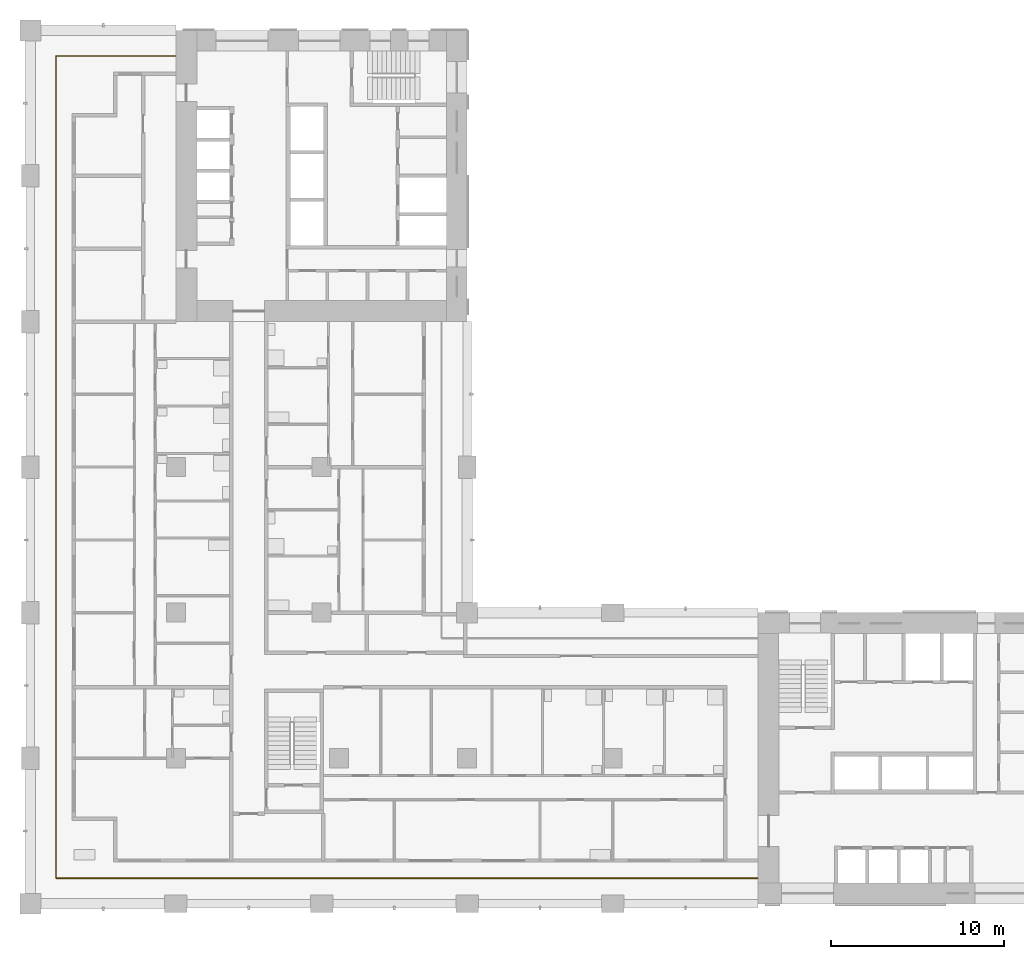
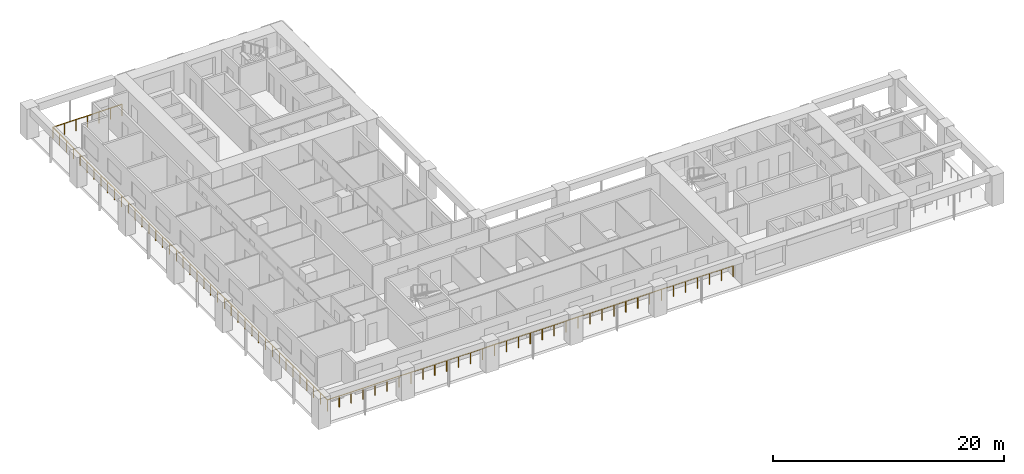
# One storey, part 11 of 17: 1 railing.
"""IFC4 building model written with IfcOpenShell, lengths in metres."""

from ifc_helpers import new_model, si_unit, direction, frame, origin, origin_2d, place, context, subcontext, project, spatial, circle, extrude, material, type_object, element, save


model = new_model("IFC4")

# Units and contexts
model_context = context("Model", 3, precision=1e-05, world=origin(), true_north=direction((0.0, 1.0)))
body_context = subcontext(model_context, "Body", "Model", "MODEL_VIEW")
ifc_project = project(units=[si_unit("LENGTHUNIT", "METRE"), si_unit("AREAUNIT", "SQUARE_METRE"), si_unit("VOLUMEUNIT", "CUBIC_METRE"), si_unit("PLANEANGLEUNIT", "RADIAN"), si_unit("MASSUNIT", "GRAM", prefix="KILO")], contexts=[model_context])

# Site, building, storey
site_placement = place(None, origin())
site = spatial("IfcSite", under=ifc_project, at=site_placement, CompositionType="ELEMENT")
building_placement = place(site_placement, origin())
building = spatial("IfcBuilding", under=site, at=building_placement, Name="Vermilion Gate Residences", CompositionType="ELEMENT")
storey_placement = place(building_placement, frame((0.0, 0.0, 98.699951171875)))
storey = spatial("IfcBuildingStorey", under=building, at=storey_placement, Name="L24", CompositionType="ELEMENT", Elevation=98.699951171875)

# Railing
ifc_material = material(Name="Stainless steel and toughened glass", Category="steel")
railing_type = type_object("IfcRailingType", Name="LOGGIA GUARD STEEL AND GLASS 1200", PredefinedType="GUARDRAIL", material=ifc_material)
railing_placement = place(storey_placement, frame((8.3779296875, 57.324951171875, 0.0)))
element("IfcRailing", 1, at=railing_placement, inside=storey, type_object=railing_type, Name="Loggia guard", PredefinedType="GUARDRAIL", context=body_context, shape_type="SweptSolid", body=[
    extrude(circle(Radius=0.030029296875, at=origin_2d()), frame((0.0, 0.0, 1.169921875), z_axis=(-1.0, 0.0, 0.0), x_axis=(0.0, -1.0, 0.0)), (0.0, 0.0, 1.0), 6.90283203125),
    extrude(circle(Radius=0.030029296875, at=origin_2d()), frame((-6.90283203125, 0.0, 1.169921875), z_axis=(0.0, -1.0, 0.0), x_axis=(1.0, 0.0, 0.0)), (0.0, 0.0, 1.0), 47.449951171875),
    extrude(circle(Radius=0.030029296875, at=origin_2d()), frame((-6.90283203125, -47.449951171875, 1.169921875), z_axis=(1.0, 0.0, 0.0), x_axis=(0.0, 1.0, 0.0)), (0.0, 0.0, 1.0), 40.5029296875),
    extrude(circle(Radius=0.02490234375, at=origin_2d()), origin(), (0.0, 0.0, 1.0), 1.139892578125),
    extrude(circle(Radius=0.02490234375, at=origin_2d()), frame((-1.150390625, 0.0, 0.0)), (0.0, 0.0, 1.0), 1.139892578125),
    extrude(circle(Radius=0.02490234375, at=origin_2d()), frame((-2.301025390625, 0.0, 0.0)), (0.0, 0.0, 1.0), 1.139892578125),
    extrude(circle(Radius=0.02490234375, at=origin_2d()), frame((-3.451416015625, 0.0, 0.0)), (0.0, 0.0, 1.0), 1.139892578125),
    extrude(circle(Radius=0.02490234375, at=origin_2d()), frame((-4.601806640625, 0.0, 0.0)), (0.0, 0.0, 1.0), 1.139892578125),
    extrude(circle(Radius=0.02490234375, at=origin_2d()), frame((-5.75244140625, 0.0, 0.0)), (0.0, 0.0, 1.0), 1.139892578125),
    extrude(circle(Radius=0.02490234375, at=origin_2d()), frame((-6.90283203125, 0.0, 0.0)), (0.0, 0.0, 1.0), 1.139892578125),
    extrude(circle(Radius=0.02490234375, at=origin_2d()), frame((-6.90283203125, -1.186279296875, 0.0)), (0.0, 0.0, 1.0), 1.139892578125),
    extrude(circle(Radius=0.02490234375, at=origin_2d()), frame((-6.90283203125, -2.37255859375, 0.0)), (0.0, 0.0, 1.0), 1.139892578125),
    extrude(circle(Radius=0.02490234375, at=origin_2d()), frame((-6.90283203125, -3.558837890625, 0.0)), (0.0, 0.0, 1.0), 1.139892578125),
    extrude(circle(Radius=0.02490234375, at=origin_2d()), frame((-6.90283203125, -4.7451171875, 0.0)), (0.0, 0.0, 1.0), 1.139892578125),
    extrude(circle(Radius=0.02490234375, at=origin_2d()), frame((-6.90283203125, -5.93115234375, 0.0)), (0.0, 0.0, 1.0), 1.139892578125),
    extrude(circle(Radius=0.02490234375, at=origin_2d()), frame((-6.90283203125, -7.117431640625, 0.0)), (0.0, 0.0, 1.0), 1.139892578125),
    extrude(circle(Radius=0.02490234375, at=origin_2d()), frame((-6.90283203125, -8.3037109375, 0.0)), (0.0, 0.0, 1.0), 1.139892578125),
    extrude(circle(Radius=0.02490234375, at=origin_2d()), frame((-6.90283203125, -9.489990234375, 0.0)), (0.0, 0.0, 1.0), 1.139892578125),
    extrude(circle(Radius=0.02490234375, at=origin_2d()), frame((-6.90283203125, -10.67626953125, 0.0)), (0.0, 0.0, 1.0), 1.139892578125),
    extrude(circle(Radius=0.02490234375, at=origin_2d()), frame((-6.90283203125, -11.862548828125, 0.0)), (0.0, 0.0, 1.0), 1.139892578125),
    extrude(circle(Radius=0.02490234375, at=origin_2d()), frame((-6.90283203125, -13.048828125, 0.0)), (0.0, 0.0, 1.0), 1.139892578125),
    extrude(circle(Radius=0.02490234375, at=origin_2d()), frame((-6.90283203125, -14.23486328125, 0.0)), (0.0, 0.0, 1.0), 1.139892578125),
    extrude(circle(Radius=0.02490234375, at=origin_2d()), frame((-6.90283203125, -15.421142578125, 0.0)), (0.0, 0.0, 1.0), 1.139892578125),
    extrude(circle(Radius=0.02490234375, at=origin_2d()), frame((-6.90283203125, -16.607421875, 0.0)), (0.0, 0.0, 1.0), 1.139892578125),
    extrude(circle(Radius=0.02490234375, at=origin_2d()), frame((-6.90283203125, -17.793701171875, 0.0)), (0.0, 0.0, 1.0), 1.139892578125),
    extrude(circle(Radius=0.02490234375, at=origin_2d()), frame((-6.90283203125, -18.97998046875, 0.0)), (0.0, 0.0, 1.0), 1.139892578125),
    extrude(circle(Radius=0.02490234375, at=origin_2d()), frame((-6.90283203125, -20.166259765625, 0.0)), (0.0, 0.0, 1.0), 1.139892578125),
    extrude(circle(Radius=0.02490234375, at=origin_2d()), frame((-6.90283203125, -21.3525390625, 0.0)), (0.0, 0.0, 1.0), 1.139892578125),
    extrude(circle(Radius=0.02490234375, at=origin_2d()), frame((-6.90283203125, -22.538818359375, 0.0)), (0.0, 0.0, 1.0), 1.139892578125),
    extrude(circle(Radius=0.02490234375, at=origin_2d()), frame((-6.90283203125, -23.72509765625, 0.0)), (0.0, 0.0, 1.0), 1.139892578125),
    extrude(circle(Radius=0.02490234375, at=origin_2d()), frame((-6.90283203125, -24.9111328125, 0.0)), (0.0, 0.0, 1.0), 1.139892578125),
    extrude(circle(Radius=0.02490234375, at=origin_2d()), frame((-6.90283203125, -26.097412109375, 0.0)), (0.0, 0.0, 1.0), 1.139892578125),
    extrude(circle(Radius=0.02490234375, at=origin_2d()), frame((-6.90283203125, -27.28369140625, 0.0)), (0.0, 0.0, 1.0), 1.139892578125),
    extrude(circle(Radius=0.02490234375, at=origin_2d()), frame((-6.90283203125, -28.469970703125, 0.0)), (0.0, 0.0, 1.0), 1.139892578125),
    extrude(circle(Radius=0.02490234375, at=origin_2d()), frame((-6.90283203125, -29.65625, 0.0)), (0.0, 0.0, 1.0), 1.139892578125),
    extrude(circle(Radius=0.02490234375, at=origin_2d()), frame((-6.90283203125, -30.842529296875, 0.0)), (0.0, 0.0, 1.0), 1.139892578125),
    extrude(circle(Radius=0.02490234375, at=origin_2d()), frame((-6.90283203125, -32.02880859375, 0.0)), (0.0, 0.0, 1.0), 1.139892578125),
    extrude(circle(Radius=0.02490234375, at=origin_2d()), frame((-6.90283203125, -33.21484375, 0.0)), (0.0, 0.0, 1.0), 1.139892578125),
    extrude(circle(Radius=0.02490234375, at=origin_2d()), frame((-6.90283203125, -34.401123046875, 0.0)), (0.0, 0.0, 1.0), 1.139892578125),
    extrude(circle(Radius=0.02490234375, at=origin_2d()), frame((-6.90283203125, -35.58740234375, 0.0)), (0.0, 0.0, 1.0), 1.139892578125),
    extrude(circle(Radius=0.02490234375, at=origin_2d()), frame((-6.90283203125, -36.773681640625, 0.0)), (0.0, 0.0, 1.0), 1.139892578125),
    extrude(circle(Radius=0.02490234375, at=origin_2d()), frame((-6.90283203125, -37.9599609375, 0.0)), (0.0, 0.0, 1.0), 1.139892578125),
    extrude(circle(Radius=0.02490234375, at=origin_2d()), frame((-6.90283203125, -39.146240234375, 0.0)), (0.0, 0.0, 1.0), 1.139892578125),
    extrude(circle(Radius=0.02490234375, at=origin_2d()), frame((-6.90283203125, -40.33251953125, 0.0)), (0.0, 0.0, 1.0), 1.139892578125),
    extrude(circle(Radius=0.02490234375, at=origin_2d()), frame((-6.90283203125, -41.518798828125, 0.0)), (0.0, 0.0, 1.0), 1.139892578125),
    extrude(circle(Radius=0.02490234375, at=origin_2d()), frame((-6.90283203125, -42.705078125, 0.0)), (0.0, 0.0, 1.0), 1.139892578125),
    extrude(circle(Radius=0.02490234375, at=origin_2d()), frame((-6.90283203125, -43.89111328125, 0.0)), (0.0, 0.0, 1.0), 1.139892578125),
    extrude(circle(Radius=0.02490234375, at=origin_2d()), frame((-6.90283203125, -45.077392578125, 0.0)), (0.0, 0.0, 1.0), 1.139892578125),
    extrude(circle(Radius=0.02490234375, at=origin_2d()), frame((-6.90283203125, -46.263671875, 0.0)), (0.0, 0.0, 1.0), 1.139892578125),
    extrude(circle(Radius=0.02490234375, at=origin_2d()), frame((-6.90283203125, -47.449951171875, 0.0)), (0.0, 0.0, 1.0), 1.139892578125),
    extrude(circle(Radius=0.02490234375, at=origin_2d()), frame((-5.711669921875, -47.449951171875, 0.0)), (0.0, 0.0, 1.0), 1.139892578125),
    extrude(circle(Radius=0.02490234375, at=origin_2d()), frame((-4.520263671875, -47.449951171875, 0.0)), (0.0, 0.0, 1.0), 1.139892578125),
    extrude(circle(Radius=0.02490234375, at=origin_2d()), frame((-3.3291015625, -47.449951171875, 0.0)), (0.0, 0.0, 1.0), 1.139892578125),
    extrude(circle(Radius=0.02490234375, at=origin_2d()), frame((-2.1376953125, -47.449951171875, 0.0)), (0.0, 0.0, 1.0), 1.139892578125),
    extrude(circle(Radius=0.02490234375, at=origin_2d()), frame((-0.946533203125, -47.449951171875, 0.0)), (0.0, 0.0, 1.0), 1.139892578125),
    extrude(circle(Radius=0.02490234375, at=origin_2d()), frame((0.24462890625, -47.449951171875, 0.0)), (0.0, 0.0, 1.0), 1.139892578125),
    extrude(circle(Radius=0.02490234375, at=origin_2d()), frame((1.43603515625, -47.449951171875, 0.0)), (0.0, 0.0, 1.0), 1.139892578125),
    extrude(circle(Radius=0.02490234375, at=origin_2d()), frame((2.627197265625, -47.449951171875, 0.0)), (0.0, 0.0, 1.0), 1.139892578125),
    extrude(circle(Radius=0.02490234375, at=origin_2d()), frame((3.818603515625, -47.449951171875, 0.0)), (0.0, 0.0, 1.0), 1.139892578125),
    extrude(circle(Radius=0.02490234375, at=origin_2d()), frame((5.009765625, -47.449951171875, 0.0)), (0.0, 0.0, 1.0), 1.139892578125),
    extrude(circle(Radius=0.02490234375, at=origin_2d()), frame((6.201171875, -47.449951171875, 0.0)), (0.0, 0.0, 1.0), 1.139892578125),
    extrude(circle(Radius=0.02490234375, at=origin_2d()), frame((7.392333984375, -47.449951171875, 0.0)), (0.0, 0.0, 1.0), 1.139892578125),
    extrude(circle(Radius=0.02490234375, at=origin_2d()), frame((8.58349609375, -47.449951171875, 0.0)), (0.0, 0.0, 1.0), 1.139892578125),
    extrude(circle(Radius=0.02490234375, at=origin_2d()), frame((9.77490234375, -47.449951171875, 0.0)), (0.0, 0.0, 1.0), 1.139892578125),
    extrude(circle(Radius=0.02490234375, at=origin_2d()), frame((10.966064453125, -47.449951171875, 0.0)), (0.0, 0.0, 1.0), 1.139892578125),
    extrude(circle(Radius=0.02490234375, at=origin_2d()), frame((12.157470703125, -47.449951171875, 0.0)), (0.0, 0.0, 1.0), 1.139892578125),
    extrude(circle(Radius=0.02490234375, at=origin_2d()), frame((13.3486328125, -47.449951171875, 0.0)), (0.0, 0.0, 1.0), 1.139892578125),
    extrude(circle(Radius=0.02490234375, at=origin_2d()), frame((14.539794921875, -47.449951171875, 0.0)), (0.0, 0.0, 1.0), 1.139892578125),
    extrude(circle(Radius=0.02490234375, at=origin_2d()), frame((15.731201171875, -47.449951171875, 0.0)), (0.0, 0.0, 1.0), 1.139892578125),
    extrude(circle(Radius=0.02490234375, at=origin_2d()), frame((16.92236328125, -47.449951171875, 0.0)), (0.0, 0.0, 1.0), 1.139892578125),
    extrude(circle(Radius=0.02490234375, at=origin_2d()), frame((18.11376953125, -47.449951171875, 0.0)), (0.0, 0.0, 1.0), 1.139892578125),
    extrude(circle(Radius=0.02490234375, at=origin_2d()), frame((19.304931640625, -47.449951171875, 0.0)), (0.0, 0.0, 1.0), 1.139892578125),
    extrude(circle(Radius=0.02490234375, at=origin_2d()), frame((20.49609375, -47.449951171875, 0.0)), (0.0, 0.0, 1.0), 1.139892578125),
    extrude(circle(Radius=0.02490234375, at=origin_2d()), frame((21.6875, -47.449951171875, 0.0)), (0.0, 0.0, 1.0), 1.139892578125),
    extrude(circle(Radius=0.02490234375, at=origin_2d()), frame((22.878662109375, -47.449951171875, 0.0)), (0.0, 0.0, 1.0), 1.139892578125),
    extrude(circle(Radius=0.02490234375, at=origin_2d()), frame((24.070068359375, -47.449951171875, 0.0)), (0.0, 0.0, 1.0), 1.139892578125),
    extrude(circle(Radius=0.02490234375, at=origin_2d()), frame((25.26123046875, -47.449951171875, 0.0)), (0.0, 0.0, 1.0), 1.139892578125),
    extrude(circle(Radius=0.02490234375, at=origin_2d()), frame((26.45263671875, -47.449951171875, 0.0)), (0.0, 0.0, 1.0), 1.139892578125),
    extrude(circle(Radius=0.02490234375, at=origin_2d()), frame((27.643798828125, -47.449951171875, 0.0)), (0.0, 0.0, 1.0), 1.139892578125),
    extrude(circle(Radius=0.02490234375, at=origin_2d()), frame((28.8349609375, -47.449951171875, 0.0)), (0.0, 0.0, 1.0), 1.139892578125),
    extrude(circle(Radius=0.02490234375, at=origin_2d()), frame((30.0263671875, -47.449951171875, 0.0)), (0.0, 0.0, 1.0), 1.139892578125),
    extrude(circle(Radius=0.02490234375, at=origin_2d()), frame((31.217529296875, -47.449951171875, 0.0)), (0.0, 0.0, 1.0), 1.139892578125),
    extrude(circle(Radius=0.02490234375, at=origin_2d()), frame((32.408935546875, -47.449951171875, 0.0)), (0.0, 0.0, 1.0), 1.139892578125),
    extrude(circle(Radius=0.02490234375, at=origin_2d()), frame((33.60009765625, -47.449951171875, 0.0)), (0.0, 0.0, 1.0), 1.139892578125),
])

save(model, "model.ifc")
